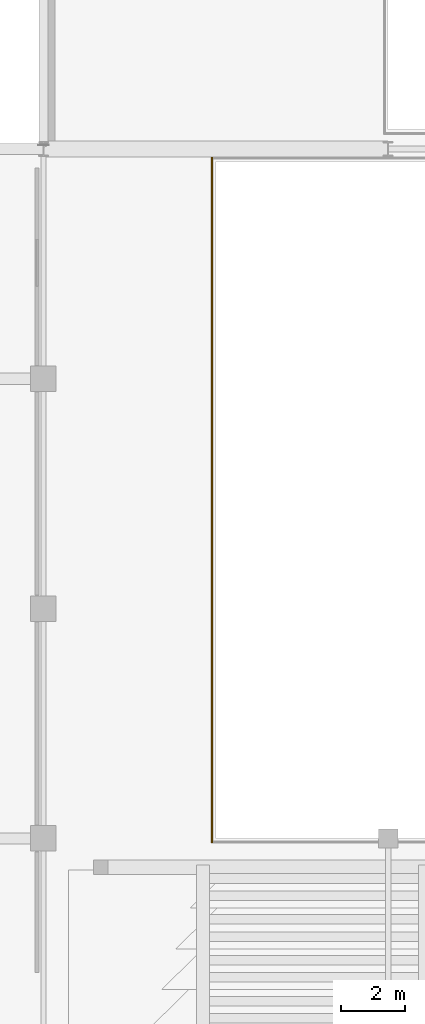
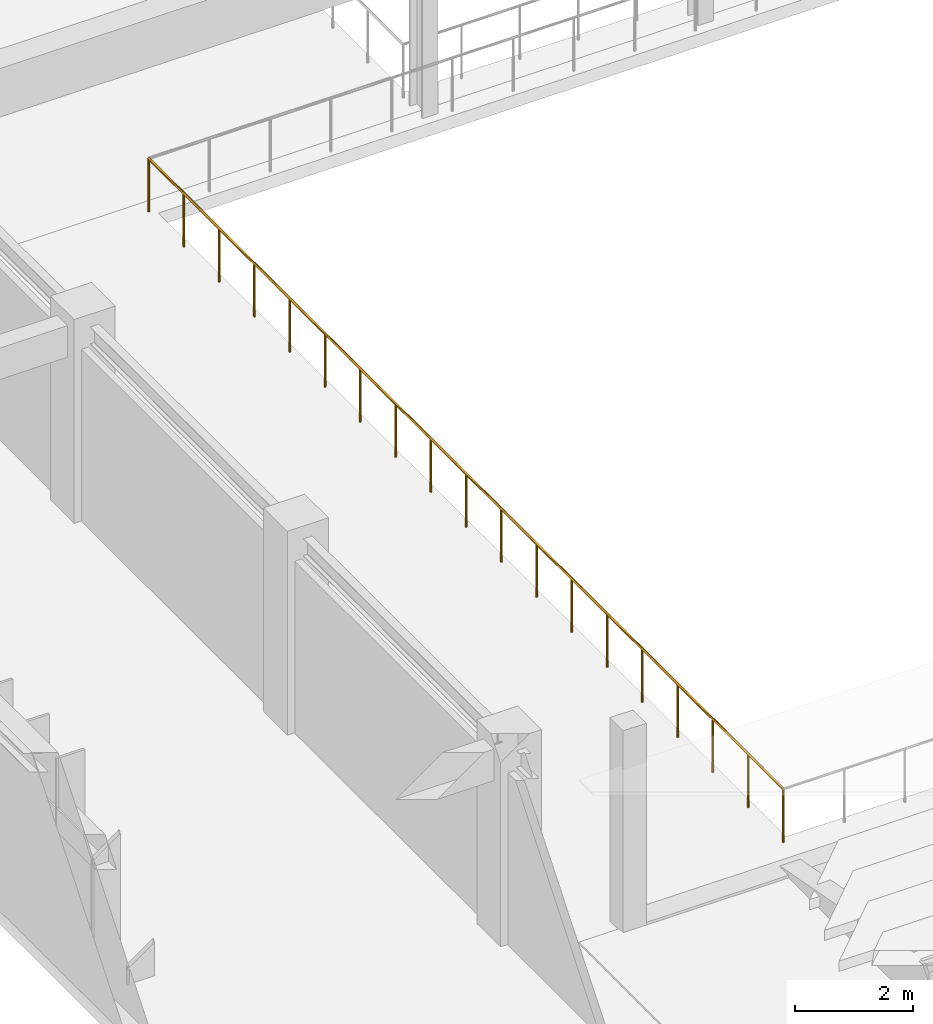
# One storey, part 115 of 122: 1 railing.
"""IFC4 building model written with IfcOpenShell, lengths in metres."""

from ifc_helpers import new_model, si_unit, direction, frame, origin, origin_2d, place, context, subcontext, project, spatial, circle, extrude, material, material_profile, profile_set, type_object, element, save


model = new_model("IFC4")

# Units and contexts
model_context = context("Model", 3, precision=1e-05, world=origin(), true_north=direction((0.0, 1.0)))
body_context = subcontext(model_context, "Body", "Model", "MODEL_VIEW")
ifc_project = project(units=[si_unit("LENGTHUNIT", "METRE"), si_unit("AREAUNIT", "SQUARE_METRE"), si_unit("VOLUMEUNIT", "CUBIC_METRE"), si_unit("PLANEANGLEUNIT", "RADIAN"), si_unit("MASSUNIT", "GRAM", prefix="KILO")], contexts=[model_context])

# Site, building, storey
site_placement = place(None, origin())
site = spatial("IfcSite", under=ifc_project, at=site_placement, CompositionType="ELEMENT")
building_placement = place(site_placement, origin())
building = spatial("IfcBuilding", under=site, at=building_placement, Name="Tazoul Stagehouse", CompositionType="ELEMENT")
storey_placement = place(building_placement, frame((0.0, 0.0, 4.800048828125)))
storey = spatial("IfcBuildingStorey", under=building, at=storey_placement, Name="L01", CompositionType="ELEMENT", Elevation=4.800048828125)

# Railing
ifc_material = material(Name="Brushed Stainless Steel 316L", Category="steel")
ifc_material_profile = material_profile(ifc_material, circle(Radius=0.02392578125, at=origin_2d()), Name="SS RAIL D48")
ifc_profile_set = profile_set([ifc_material_profile], Name="Brushed Stainless Steel 316L")
railing_type = type_object("IfcRailingType", Name="Architectural Guardrail H1120", PredefinedType="GUARDRAIL", material=ifc_profile_set)
railing_placement = place(storey_placement, frame((62.8798828125, 87.52001953125, 0.0)))
element("IfcRailing", 1, at=railing_placement, inside=storey, type_object=railing_type, Name="L01 Open-Edge Guard GRD-01 (GRD-VOID1-W1)", PredefinedType="GUARDRAIL", context=body_context, shape_type="SweptSolid", body=[
    extrude(circle(Radius=0.02392578125, at=origin_2d()), frame((0.0, 0.0, 1.09619140625), z_axis=(0.0, -1.0, 0.0), x_axis=(1.0, 0.0, 0.0)), (0.0, 0.0, 1.0), 21.43994140625),
    extrude(circle(Radius=0.02099609375, at=origin_2d()), origin(), (0.0, 0.0, 1.0), 1.072021484375),
    extrude(circle(Radius=0.02099609375, at=origin_2d()), frame((0.0, -1.191162109375, 0.0)), (0.0, 0.0, 1.0), 1.072021484375),
    extrude(circle(Radius=0.02099609375, at=origin_2d()), frame((0.0, -2.38232421875, 0.0)), (0.0, 0.0, 1.0), 1.072021484375),
    extrude(circle(Radius=0.02099609375, at=origin_2d()), frame((0.0, -3.5732421875, 0.0)), (0.0, 0.0, 1.0), 1.072021484375),
    extrude(circle(Radius=0.02099609375, at=origin_2d()), frame((0.0, -4.764404296875, 0.0)), (0.0, 0.0, 1.0), 1.072021484375),
    extrude(circle(Radius=0.02099609375, at=origin_2d()), frame((0.0, -5.95556640625, 0.0)), (0.0, 0.0, 1.0), 1.072021484375),
    extrude(circle(Radius=0.02099609375, at=origin_2d()), frame((0.0, -7.146728515625, 0.0)), (0.0, 0.0, 1.0), 1.072021484375),
    extrude(circle(Radius=0.02099609375, at=origin_2d()), frame((0.0, -8.337646484375, 0.0)), (0.0, 0.0, 1.0), 1.072021484375),
    extrude(circle(Radius=0.02099609375, at=origin_2d()), frame((0.0, -9.52880859375, 0.0)), (0.0, 0.0, 1.0), 1.072021484375),
    extrude(circle(Radius=0.02099609375, at=origin_2d()), frame((0.0, -10.719970703125, 0.0)), (0.0, 0.0, 1.0), 1.072021484375),
    extrude(circle(Radius=0.02099609375, at=origin_2d()), frame((0.0, -11.9111328125, 0.0)), (0.0, 0.0, 1.0), 1.072021484375),
    extrude(circle(Radius=0.02099609375, at=origin_2d()), frame((0.0, -13.102294921875, 0.0)), (0.0, 0.0, 1.0), 1.072021484375),
    extrude(circle(Radius=0.02099609375, at=origin_2d()), frame((0.0, -14.293212890625, 0.0)), (0.0, 0.0, 1.0), 1.072021484375),
    extrude(circle(Radius=0.02099609375, at=origin_2d()), frame((0.0, -15.484375, 0.0)), (0.0, 0.0, 1.0), 1.072021484375),
    extrude(circle(Radius=0.02099609375, at=origin_2d()), frame((0.0, -16.675537109375, 0.0)), (0.0, 0.0, 1.0), 1.072021484375),
    extrude(circle(Radius=0.02099609375, at=origin_2d()), frame((0.0, -17.86669921875, 0.0)), (0.0, 0.0, 1.0), 1.072021484375),
    extrude(circle(Radius=0.02099609375, at=origin_2d()), frame((0.0, -19.0576171875, 0.0)), (0.0, 0.0, 1.0), 1.072021484375),
    extrude(circle(Radius=0.02099609375, at=origin_2d()), frame((0.0, -20.248779296875, 0.0)), (0.0, 0.0, 1.0), 1.072021484375),
    extrude(circle(Radius=0.02099609375, at=origin_2d()), frame((0.0, -21.43994140625, 0.0)), (0.0, 0.0, 1.0), 1.072021484375),
])

save(model, "model.ifc")
